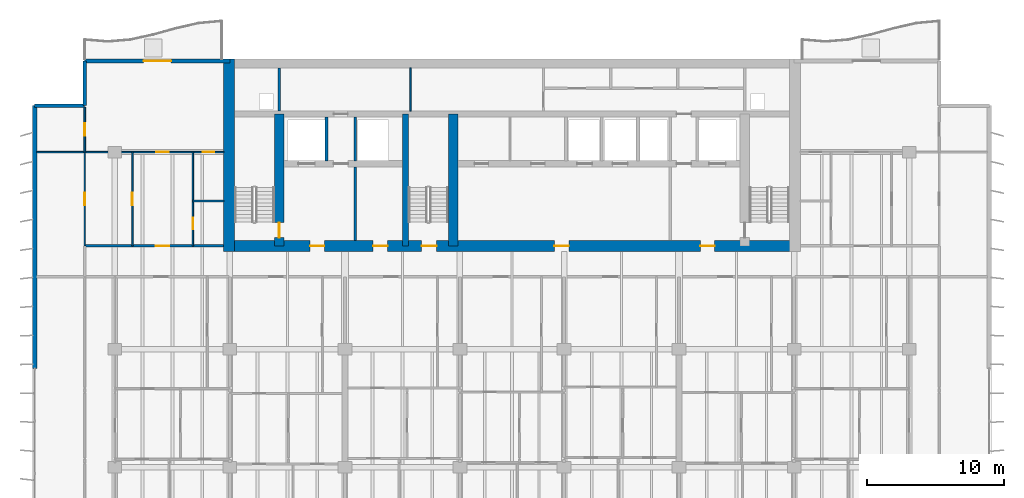
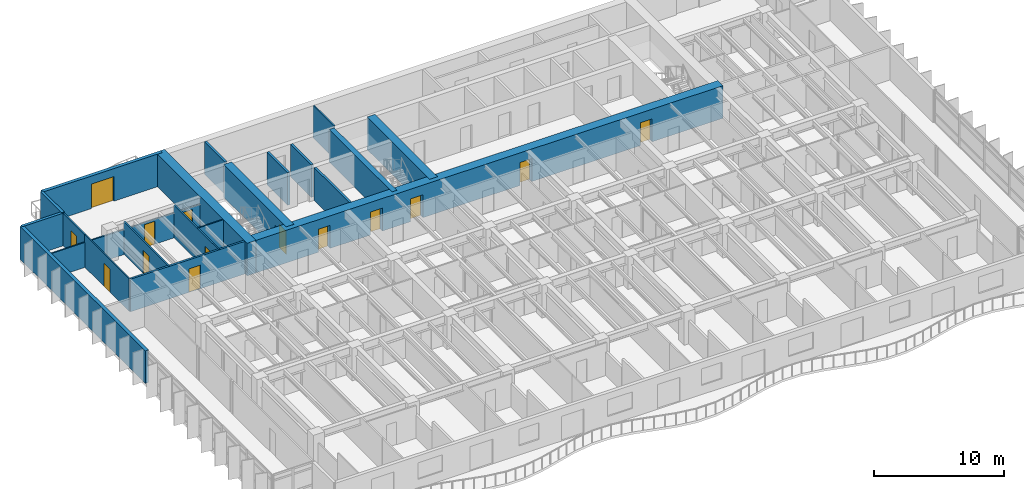
# One storey, part 11 of 18: 21 walls, 14 doors, 14 openings.
"""IFC4 building model written with IfcOpenShell, lengths in metres."""

from ifc_helpers import new_model, si_unit, direction, frame, frame_2d, origin, place, context, subcontext, project, spatial, rectangle, extrude, material, layer, layer_set, type_object, element, fill, save


model = new_model("IFC4")

# Units and contexts
model_context = context("Model", 3, precision=1e-05, world=origin(), true_north=direction((0.0, 1.0)))
body_context = subcontext(model_context, "Body", "Model", "MODEL_VIEW")
ifc_project = project(units=[si_unit("LENGTHUNIT", "METRE"), si_unit("AREAUNIT", "SQUARE_METRE"), si_unit("VOLUMEUNIT", "CUBIC_METRE"), si_unit("PLANEANGLEUNIT", "RADIAN"), si_unit("MASSUNIT", "GRAM", prefix="KILO")], contexts=[model_context])

# Site, building, storey
site_placement = place(None, origin())
site = spatial("IfcSite", under=ifc_project, at=site_placement, CompositionType="ELEMENT")
building_placement = place(site_placement, origin())
building = spatial("IfcBuilding", under=site, at=building_placement, Name="Caelmar Bay Residences", CompositionType="ELEMENT")
storey_placement = place(building_placement, frame((0.0, 0.0, 122.39990234375)))
storey = spatial("IfcBuildingStorey", under=building, at=storey_placement, Name="L33", CompositionType="ELEMENT", Elevation=122.39990234375)

# Wall, opening, door
ifc_material_1 = material(Name="Concrete f'c 55 MPa (8,000 psi)", Category="concrete")
ifc_layer_1 = layer(ifc_material_1, 0.699951171875)
ifc_layer_set_1 = layer_set([ifc_layer_1], Name="Concrete f'c 55 MPa (8,000 psi)")
wall_type_1 = type_object("IfcWallType", Name="SW-COR-700", PredefinedType="SHEAR", material=ifc_layer_set_1)
wall_1_placement = place(storey_placement, frame((21.89990234375, 36.949951171875, 0.0), z_axis=(0.0, 0.0, 1.0), x_axis=(0.0, 1.0, 0.0)))
wall_1 = element("IfcWall", 1, at=wall_1_placement, inside=storey, type_object=wall_type_1, Name="L33 Core Structural Web Wall ST1E", PredefinedType="SHEAR", context=body_context, shape_type="SweptSolid", body=[
    extrude(rectangle(XDim=9.625, YDim=0.699951171875, at=frame_2d((4.8125, 0.0))), origin(), (0.0, 0.0, 1.0), 3.050048828125),
])
opening_1_placement = place(wall_1_placement, frame((0.60009765625, 0.0, 0.0)))
opening_1 = element("IfcOpeningElement", 2, at=opening_1_placement, cuts=wall_1, Name="Opening D-L33-107", PredefinedType="OPENING", context=body_context, shape_type="SweptSolid", body=[
    extrude(rectangle(XDim=1.10009765625, YDim=2.14990234375, at=frame_2d((0.550048828125, 1.074951171875))), frame((0.0, 0.35986328125, 0.0), z_axis=(0.0, -1.0, 0.0), x_axis=(1.0, 0.0, 0.0)), (0.0, 0.0, 1.0), 0.719970703125),
])
ifc_material_2 = material(Name="Fire-rated steel and walnut architectural door assembly", Category="steel")
ifc_layer_2 = layer(ifc_material_2, 0.050048828125)
ifc_layer_set_2 = layer_set([ifc_layer_2], Name="Fire-rated steel and walnut architectural door assembly")
door_type_1 = type_object("IfcDoorType", Name="D-STAIR-1100", OperationType="NOTDEFINED", PredefinedType="DOOR", material=ifc_layer_set_2)
door_1_placement = place(opening_1_placement, origin())
door_1 = element("IfcDoor", 3, at=door_1_placement, inside=storey, type_object=door_type_1, Name="L33 Firefighting Lobby West Door", OperationType="SINGLE_SWING_LEFT", OverallHeight=2.14990234375, OverallWidth=1.10009765625, PredefinedType="DOOR", context=body_context, shape_type="SweptSolid", body=[
    extrude(rectangle(XDim=1.10009765625, YDim=2.14990234375, at=frame_2d((0.550048828125, 1.074951171875))), frame((0.0, 0.02490234375, 0.0), z_axis=(0.0, -1.0, 0.0), x_axis=(1.0, 0.0, 0.0)), (0.0, 0.0, 1.0), 0.050048828125),
])
fill(opening_1, door_1)

# Wall
wall_2_placement = place(storey_placement, frame((34.60009765625, 36.949951171875, 0.0), z_axis=(0.0, 0.0, 1.0), x_axis=(0.0, 1.0, 0.0)))
element("IfcWall", 4, at=wall_2_placement, inside=storey, type_object=wall_type_1, Name="L33 Core Structural Web Wall ST3E", PredefinedType="SHEAR", context=body_context, shape_type="SweptSolid", body=[
    extrude(rectangle(XDim=9.625, YDim=0.699951171875, at=frame_2d((4.8125, 0.0))), origin(), (0.0, 0.0, 1.0), 3.050048828125),
])

# Wall, openings, doors
ifc_material_3 = material(Name="Concrete f'c 70 MPa (10,000 psi)", Category="concrete")
ifc_layer_3 = layer(ifc_material_3, 0.800048828125)
ifc_layer_set_3 = layer_set([ifc_layer_3], Name="Concrete f'c 70 MPa (10,000 psi)")
wall_type_2 = type_object("IfcWallType", Name="SW-COR-800", PredefinedType="SHEAR", material=ifc_layer_set_3)
wall_3_placement = place(storey_placement, frame((17.85009765625, 36.949951171875, 0.0), z_axis=(0.0, 0.0, 1.0), x_axis=(1.0, 0.0, 0.0)))
wall_3 = element("IfcWall", 5, at=wall_3_placement, inside=storey, type_object=wall_type_2, Name="L33 Rear Core South Shear Wall", PredefinedType="SHEAR", context=body_context, shape_type="SweptSolid", body=[
    extrude(rectangle(XDim=42.099853515625, YDim=0.800048828125, at=frame_2d((21.0498046875, 0.0))), origin(), (0.0, 0.0, 1.0), 3.050048828125),
])
opening_2_placement = place(wall_3_placement, frame((14.449951171875, 0.0, 0.0)))
opening_2 = element("IfcOpeningElement", 6, at=opening_2_placement, cuts=wall_3, Name="Opening D-L33-105", PredefinedType="OPENING", context=body_context, shape_type="SweptSolid", body=[
    extrude(rectangle(XDim=1.10009765625, YDim=2.14990234375, at=frame_2d((0.550048828125, 1.074951171875))), frame((0.0, 0.409912109375, 0.0), z_axis=(0.0, -1.0, 0.0), x_axis=(1.0, 0.0, 0.0)), (0.0, 0.0, 1.0), 0.820068359375),
])
opening_3_placement = place(wall_3_placement, frame((6.300048828125, 0.0, 0.0)))
opening_3 = element("IfcOpeningElement", 7, at=opening_3_placement, cuts=wall_3, Name="Opening D-L33-106", PredefinedType="OPENING", context=body_context, shape_type="SweptSolid", body=[
    extrude(rectangle(XDim=1.050048828125, YDim=2.14990234375, at=frame_2d((0.52490234375, 1.074951171875))), frame((0.0, 0.409912109375, 0.0), z_axis=(0.0, -1.0, 0.0), x_axis=(1.0, 0.0, 0.0)), (0.0, 0.0, 1.0), 0.820068359375),
])
opening_4_placement = place(wall_3_placement, frame((34.800048828125, 0.0, 0.0)))
opening_4 = element("IfcOpeningElement", 8, at=opening_4_placement, cuts=wall_3, Name="Opening D-L33-109", PredefinedType="OPENING", context=body_context, shape_type="SweptSolid", body=[
    extrude(rectangle(XDim=1.050048828125, YDim=2.14990234375, at=frame_2d((0.52490234375, 1.074951171875))), frame((0.0, 0.409912109375, 0.0), z_axis=(0.0, -1.0, 0.0), x_axis=(1.0, 0.0, 0.0)), (0.0, 0.0, 1.0), 0.820068359375),
])
opening_5_placement = place(wall_3_placement, frame((10.91259765625, 0.0, 0.0)))
opening_5 = element("IfcOpeningElement", 9, at=opening_5_placement, cuts=wall_3, Name="Opening D-L33-112", PredefinedType="OPENING", context=body_context, shape_type="SweptSolid", body=[
    extrude(rectangle(XDim=1.050048828125, YDim=2.14990234375, at=frame_2d((0.52490234375, 1.074951171875))), frame((0.0, 0.409912109375, 0.0), z_axis=(0.0, -1.0, 0.0), x_axis=(1.0, 0.0, 0.0)), (0.0, 0.0, 1.0), 0.820068359375),
])
opening_6_placement = place(wall_3_placement, frame((24.14990234375, 0.0, 0.0)))
opening_6 = element("IfcOpeningElement", 10, at=opening_6_placement, cuts=wall_3, Name="Opening D-L33-113", PredefinedType="OPENING", context=body_context, shape_type="SweptSolid", body=[
    extrude(rectangle(XDim=1.050048828125, YDim=2.14990234375, at=frame_2d((0.52490234375, 1.074951171875))), frame((0.0, 0.409912109375, 0.0), z_axis=(0.0, -1.0, 0.0), x_axis=(1.0, 0.0, 0.0)), (0.0, 0.0, 1.0), 0.820068359375),
])
ifc_layer_4 = layer(ifc_material_2, 0.050048828125)
ifc_layer_set_4 = layer_set([ifc_layer_4], Name="Fire-rated steel and walnut architectural door assembly")
door_type_2 = type_object("IfcDoorType", Name="D-FSAE-1050", OperationType="NOTDEFINED", PredefinedType="DOOR", material=ifc_layer_set_4)
door_2_placement = place(opening_3_placement, origin())
door_2 = element("IfcDoor", 11, at=door_2_placement, inside=storey, type_object=door_type_2, Name="L33 Firefighting Lobby West Door", OperationType="SINGLE_SWING_RIGHT", OverallHeight=2.14990234375, OverallWidth=1.050048828125, PredefinedType="DOOR", context=body_context, shape_type="SweptSolid", body=[
    extrude(rectangle(XDim=1.050048828125, YDim=2.14990234375, at=frame_2d((0.52490234375, 1.074951171875))), frame((0.0, 0.02490234375, 0.0), z_axis=(0.0, -1.0, 0.0), x_axis=(1.0, 0.0, 0.0)), (0.0, 0.0, 1.0), 0.050048828125),
])
fill(opening_3, door_2)
door_3_placement = place(opening_4_placement, origin())
door_3 = element("IfcDoor", 12, at=door_3_placement, inside=storey, type_object=door_type_2, Name="L33 Firefighting Lobby East Door", OperationType="SINGLE_SWING_LEFT", OverallHeight=2.14990234375, OverallWidth=1.050048828125, PredefinedType="DOOR", context=body_context, shape_type="SweptSolid", body=[
    extrude(rectangle(XDim=1.050048828125, YDim=2.14990234375, at=frame_2d((0.52490234375, 1.074951171875))), frame((0.0, 0.02490234375, 0.0), z_axis=(0.0, -1.0, 0.0), x_axis=(1.0, 0.0, 0.0)), (0.0, 0.0, 1.0), 0.050048828125),
])
fill(opening_4, door_3)
door_4_placement = place(opening_5_placement, origin())
door_4 = element("IfcDoor", 13, at=door_4_placement, inside=storey, type_object=door_type_2, Name="L33 West Lift Lobby Door", OperationType="SINGLE_SWING_RIGHT", OverallHeight=2.14990234375, OverallWidth=1.050048828125, PredefinedType="DOOR", context=body_context, shape_type="SweptSolid", body=[
    extrude(rectangle(XDim=1.050048828125, YDim=2.14990234375, at=frame_2d((0.52490234375, 1.074951171875))), frame((0.0, 0.02490234375, 0.0), z_axis=(0.0, -1.0, 0.0), x_axis=(1.0, 0.0, 0.0)), (0.0, 0.0, 1.0), 0.050048828125),
])
fill(opening_5, door_4)
door_5_placement = place(opening_6_placement, origin())
door_5 = element("IfcDoor", 14, at=door_5_placement, inside=storey, type_object=door_type_2, Name="L33 Passenger Lift Lobby Door", OperationType="SINGLE_SWING_LEFT", OverallHeight=2.14990234375, OverallWidth=1.050048828125, PredefinedType="DOOR", context=body_context, shape_type="SweptSolid", body=[
    extrude(rectangle(XDim=1.050048828125, YDim=2.14990234375, at=frame_2d((0.52490234375, 1.074951171875))), frame((0.0, 0.02490234375, 0.0), z_axis=(0.0, -1.0, 0.0), x_axis=(1.0, 0.0, 0.0)), (0.0, 0.0, 1.0), 0.050048828125),
])
fill(opening_6, door_5)
door_6_placement = place(opening_2_placement, origin())
door_6 = element("IfcDoor", 15, at=door_6_placement, inside=storey, type_object=door_type_1, Name="L33 Exit Stair ST3 Door", OperationType="SINGLE_SWING_LEFT", OverallHeight=2.14990234375, OverallWidth=1.10009765625, PredefinedType="DOOR", context=body_context, shape_type="SweptSolid", body=[
    extrude(rectangle(XDim=1.10009765625, YDim=2.14990234375, at=frame_2d((0.550048828125, 1.074951171875))), frame((0.0, 0.02490234375, 0.0), z_axis=(0.0, -1.0, 0.0), x_axis=(1.0, 0.0, 0.0)), (0.0, 0.0, 1.0), 0.050048828125),
])
fill(opening_2, door_6)

# Walls
wall_4_placement = place(storey_placement, frame((18.25, 36.550048828125, 0.0), z_axis=(0.0, 0.0, 1.0), x_axis=(0.0, 1.0, 0.0)))
element("IfcWall", 16, at=wall_4_placement, inside=storey, type_object=wall_type_2, Name="L33 Rear Core West Shear Wall", PredefinedType="SHEAR", context=body_context, shape_type="SweptSolid", body=[
    extrude(rectangle(XDim=14.050048828125, YDim=0.800048828125, at=frame_2d((7.02490234375, 0.0))), origin(), (0.0, 0.0, 1.0), 3.050048828125),
])
ifc_layer_5 = layer(ifc_material_3, 0.449951171875)
ifc_layer_set_5 = layer_set([ifc_layer_5], Name="Concrete f'c 70 MPa (10,000 psi)")
wall_type_3 = type_object("IfcWallType", Name="SW-WEB-450", PredefinedType="SHEAR", material=ifc_layer_set_5)
wall_5_placement = place(storey_placement, frame((31.125, 36.949951171875, 0.0), z_axis=(0.0, 0.0, 1.0), x_axis=(0.0, 1.0, 0.0)))
element("IfcWall", 17, at=wall_5_placement, inside=storey, type_object=wall_type_3, Name="L33 Core Structural Web Wall ST3W", PredefinedType="SHEAR", context=body_context, shape_type="SweptSolid", body=[
    extrude(rectangle(XDim=9.625, YDim=0.449951171875, at=frame_2d((4.8125, 0.0))), origin(), (0.0, 0.0, 1.0), 3.050048828125),
])

# Wall, opening, door
ifc_material_4 = material(Name="Double-stud acoustic fire-rated gypsum partition 180 mm")
ifc_layer_6 = layer(ifc_material_4, 0.179931640625)
ifc_layer_set_6 = layer_set([ifc_layer_6], Name="Double-stud acoustic fire-rated gypsum partition 180 mm")
wall_type_4 = type_object("IfcWallType", Name="W-COR-200", PredefinedType="PARTITIONING", material=ifc_layer_set_6)
wall_6_placement = place(storey_placement, frame((7.699951171875, 36.949951171875, 0.0), z_axis=(0.0, 0.0, 1.0), x_axis=(1.0, 0.0, 0.0)))
wall_6 = element("IfcWall", 18, at=wall_6_placement, inside=storey, type_object=wall_type_4, Name="L33 Partition Wall H146", PredefinedType="PARTITIONING", context=body_context, shape_type="SweptSolid", body=[
    extrude(rectangle(XDim=10.14501953125, YDim=0.179931640625, at=frame_2d((5.072509765625, 0.0))), origin(), (0.0, 0.0, 1.0), 3.050048828125),
])
opening_7_placement = place(wall_6_placement, frame((5.18798828125, 0.0, 0.0)))
opening_7 = element("IfcOpeningElement", 19, at=opening_7_placement, cuts=wall_6, Name="Opening D-L33-175", PredefinedType="OPENING", context=body_context, shape_type="SweptSolid", body=[
    extrude(rectangle(XDim=1.0, YDim=2.199951171875, at=frame_2d((0.5, 1.10009765625))), frame((0.0, 0.099853515625, 0.0), z_axis=(0.0, -1.0, 0.0), x_axis=(1.0, 0.0, 0.0)), (0.0, 0.0, 1.0), 0.199951171875),
])
ifc_layer_7 = layer(ifc_material_2, 0.050048828125)
ifc_layer_set_7 = layer_set([ifc_layer_7], Name="Fire-rated steel and walnut architectural door assembly")
door_type_3 = type_object("IfcDoorType", Name="D-UNIT-1000", OperationType="NOTDEFINED", PredefinedType="DOOR", material=ifc_layer_set_7)
door_7_placement = place(opening_7_placement, origin())
door_7 = element("IfcDoor", 20, at=door_7_placement, inside=storey, type_object=door_type_3, Name="L33 Residence WA Kitchen Door", OperationType="SINGLE_SWING_LEFT", OverallHeight=2.199951171875, OverallWidth=1.0, PredefinedType="DOOR", context=body_context, shape_type="SweptSolid", body=[
    extrude(rectangle(XDim=1.0, YDim=2.199951171875, at=frame_2d((0.5, 1.10009765625))), frame((0.0, 0.02490234375, 0.0), z_axis=(0.0, -1.0, 0.0), x_axis=(1.0, 0.0, 0.0)), (0.0, 0.0, 1.0), 0.050048828125),
])
fill(opening_7, door_7)

# Walls
ifc_material_5 = material(Name="Precast concrete f'c 40 MPa (6,000 psi)", Category="concrete")
ifc_layer_8 = layer(ifc_material_5, 0.25)
ifc_layer_set_8 = layer_set([ifc_layer_8], Name="Precast concrete f'c 40 MPa (6,000 psi)")
wall_type_5 = type_object("IfcWallType", Name="W-EXT-250", PredefinedType="ELEMENTEDWALL", material=ifc_layer_set_8)
wall_7_placement = place(storey_placement, frame((4.050048828125, 47.199951171875, 0.0), z_axis=(0.0, 0.0, 1.0), x_axis=(1.0, 0.0, 0.0)))
element("IfcWall", 21, at=wall_7_placement, inside=storey, type_object=wall_type_5, Name="L33 NNW-H Notch Wall", PredefinedType="ELEMENTEDWALL", context=body_context, shape_type="SweptSolid", body=[
    extrude(rectangle(XDim=3.64990234375, YDim=0.25, at=frame_2d((1.824951171875, 0.0))), origin(), (0.0, 0.0, 1.0), 3.050048828125),
])
wall_8_placement = place(storey_placement, frame((7.699951171875, 47.199951171875, 0.0), z_axis=(0.0, 0.0, 1.0), x_axis=(0.0, 1.0, 0.0)))
element("IfcWall", 22, at=wall_8_placement, inside=storey, type_object=wall_type_5, Name="L33 NNW-V Notch Wall", PredefinedType="ELEMENTEDWALL", context=body_context, shape_type="SweptSolid", body=[
    extrude(rectangle(XDim=3.25, YDim=0.25, at=frame_2d((1.625, 0.0))), origin(), (0.0, 0.0, 1.0), 3.050048828125),
])
ifc_layer_9 = layer(ifc_material_5, 0.300048828125)
ifc_layer_set_9 = layer_set([ifc_layer_9], Name="Precast concrete f'c 40 MPa (6,000 psi)")
wall_type_6 = type_object("IfcWallType", Name="W-EXT-300", PredefinedType="STANDARD", material=ifc_layer_set_9)
wall_9_placement = place(storey_placement, frame((4.050048828125, 28.0, 0.0), z_axis=(0.0, 0.0, 1.0), x_axis=(0.0, 1.0, 0.0)))
element("IfcWall", 23, at=wall_9_placement, inside=storey, type_object=wall_type_6, Name="L33 West Rear Exterior Wall", PredefinedType="STANDARD", context=body_context, shape_type="SweptSolid", body=[
    extrude(rectangle(XDim=19.199951171875, YDim=0.300048828125, at=frame_2d((9.60009765625, 0.0))), origin(), (0.0, 0.0, 1.0), 3.050048828125),
])

# Wall, opening, door
wall_10_placement = place(storey_placement, frame((7.699951171875, 50.449951171875, 0.0), z_axis=(0.0, 0.0, 1.0), x_axis=(1.0, 0.0, 0.0)))
wall_10 = element("IfcWall", 24, at=wall_10_placement, inside=storey, type_object=wall_type_6, Name="L33 North-West Wing Exterior Wall", PredefinedType="STANDARD", context=body_context, shape_type="SweptSolid", body=[
    extrude(rectangle(XDim=10.60009765625, YDim=0.300048828125, at=frame_2d((5.300048828125, 0.0))), origin(), (0.0, 0.0, 1.0), 3.050048828125),
])
opening_8_placement = place(wall_10_placement, frame((4.300048828125, 0.0, 0.0)))
opening_8 = element("IfcOpeningElement", 25, at=opening_8_placement, cuts=wall_10, Name="Opening L33-BDNW", PredefinedType="OPENING", context=body_context, shape_type="SweptSolid", body=[
    extrude(rectangle(XDim=2.0, YDim=2.300048828125, at=frame_2d((1.0, 1.14990234375))), frame((0.0, 0.159912109375, 0.0), z_axis=(0.0, -1.0, 0.0), x_axis=(1.0, 0.0, 0.0)), (0.0, 0.0, 1.0), 0.320068359375),
])
ifc_material_6 = material(Name="Anodised bronze thermally broken sliding glass door", Category="glass")
ifc_layer_10 = layer(ifc_material_6, 0.050048828125)
ifc_layer_set_10 = layer_set([ifc_layer_10], Name="Anodised bronze thermally broken sliding glass door")
door_type_4 = type_object("IfcDoorType", Name="D-BAL-2000", OperationType="DOUBLE_DOOR_SLIDING", PredefinedType="DOOR", material=ifc_layer_set_10)
door_8_placement = place(opening_8_placement, origin())
door_8 = element("IfcDoor", 26, at=door_8_placement, inside=storey, type_object=door_type_4, Name="L33 North-West Balcony Door", OperationType="DOUBLE_DOOR_SLIDING", OverallHeight=2.300048828125, OverallWidth=2.0, PredefinedType="DOOR", context=body_context, shape_type="SweptSolid", body=[
    extrude(rectangle(XDim=2.0, YDim=2.300048828125, at=frame_2d((1.0, 1.14990234375))), frame((0.0, 0.02490234375, 0.0), z_axis=(0.0, -1.0, 0.0), x_axis=(1.0, 0.0, 0.0)), (0.0, 0.0, 1.0), 0.050048828125),
])
fill(opening_8, door_8)

# Walls
ifc_material_7 = material(Name="Fire-rated masonry and gypsum shaftliner assembly 200 mm", Category="masonry")
ifc_layer_11 = layer(ifc_material_7, 0.199951171875)
ifc_layer_set_11 = layer_set([ifc_layer_11], Name="Fire-rated masonry and gypsum shaftliner assembly 200 mm")
wall_type_7 = type_object("IfcWallType", Name="W-FSAE-200", PredefinedType="PARTITIONING", material=ifc_layer_set_11)
wall_11_placement = place(storey_placement, frame((21.89990234375, 46.794921875, 0.0), z_axis=(0.0, 0.0, 1.0), x_axis=(0.0, 1.0, 0.0)))
element("IfcWall", 27, at=wall_11_placement, inside=storey, type_object=wall_type_7, Name="L33 Partition Wall V029", PredefinedType="PARTITIONING", context=body_context, shape_type="SweptSolid", body=[
    extrude(rectangle(XDim=3.16015625, YDim=0.199951171875, at=frame_2d((1.580078125, 0.0))), origin(), (0.0, 0.0, 1.0), 3.050048828125),
])
wall_12_placement = place(storey_placement, frame((25.35009765625, 43.169921875, 0.0), z_axis=(0.0, 0.0, 1.0), x_axis=(0.0, 1.0, 0.0)))
element("IfcWall", 28, at=wall_12_placement, inside=storey, type_object=wall_type_7, Name="L33 Partition Wall V036", PredefinedType="PARTITIONING", context=body_context, shape_type="SweptSolid", body=[
    extrude(rectangle(XDim=3.18505859375, YDim=0.199951171875, at=frame_2d((1.592529296875, 0.0))), origin(), (0.0, 0.0, 1.0), 3.050048828125),
])
wall_13_placement = place(storey_placement, frame((27.449951171875, 37.344970703125, 0.0), z_axis=(0.0, 0.0, 1.0), x_axis=(0.0, 1.0, 0.0)))
element("IfcWall", 29, at=wall_13_placement, inside=storey, type_object=wall_type_7, Name="L33 Partition Wall V040", PredefinedType="PARTITIONING", context=body_context, shape_type="SweptSolid", body=[
    extrude(rectangle(XDim=5.385009765625, YDim=0.199951171875, at=frame_2d((2.6923828125, 0.0))), origin(), (0.0, 0.0, 1.0), 3.050048828125),
])
wall_14_placement = place(storey_placement, frame((27.449951171875, 43.169921875, 0.0), z_axis=(0.0, 0.0, 1.0), x_axis=(0.0, 1.0, 0.0)))
element("IfcWall", 30, at=wall_14_placement, inside=storey, type_object=wall_type_7, Name="L33 Partition Wall V041", PredefinedType="PARTITIONING", context=body_context, shape_type="SweptSolid", body=[
    extrude(rectangle(XDim=3.18505859375, YDim=0.199951171875, at=frame_2d((1.592529296875, 0.0))), origin(), (0.0, 0.0, 1.0), 3.050048828125),
])

# Wall, opening, door
ifc_material_8 = material(Name="Anodised bronze framed acoustic sliding study partition 100 mm")
ifc_layer_12 = layer(ifc_material_8, 0.10009765625)
ifc_layer_set_12 = layer_set([ifc_layer_12], Name="Anodised bronze framed acoustic sliding study partition 100 mm")
wall_type_8 = type_object("IfcWallType", Name="W-MOV-100", PredefinedType="MOVABLE", material=ifc_layer_set_12)
wall_15_placement = place(storey_placement, frame((7.699951171875, 36.955078125, 0.0), z_axis=(0.0, 0.0, 1.0), x_axis=(0.0, 1.0, 0.0)))
wall_15 = element("IfcWall", 31, at=wall_15_placement, inside=storey, type_object=wall_type_8, Name="L33 Partition Wall V007", PredefinedType="MOVABLE", context=body_context, shape_type="SweptSolid", body=[
    extrude(rectangle(XDim=6.844970703125, YDim=0.10009765625, at=frame_2d((3.42236328125, 0.0))), origin(), (0.0, 0.0, 1.0), 3.050048828125),
])
opening_9_placement = place(wall_15_placement, frame((2.972412109375, 0.0, 0.0)))
opening_9 = element("IfcOpeningElement", 32, at=opening_9_placement, cuts=wall_15, Name="Opening D-L33-179", PredefinedType="OPENING", context=body_context, shape_type="SweptSolid", body=[
    extrude(rectangle(XDim=0.89990234375, YDim=2.14990234375, at=frame_2d((0.449951171875, 1.074951171875))), frame((0.0, 0.06005859375, 0.0), z_axis=(0.0, -1.0, 0.0), x_axis=(1.0, 0.0, 0.0)), (0.0, 0.0, 1.0), 0.1201171875),
])
ifc_material_9 = material(Name="Solid walnut timber interior door leaf and frame", Category="wood")
ifc_layer_13 = layer(ifc_material_9, 0.050048828125)
ifc_layer_set_13 = layer_set([ifc_layer_13], Name="Solid walnut timber interior door leaf and frame")
door_type_5 = type_object("IfcDoorType", Name="D-ROOM-900", OperationType="NOTDEFINED", PredefinedType="DOOR", material=ifc_layer_set_13)
door_9_placement = place(opening_9_placement, origin())
door_9 = element("IfcDoor", 33, at=door_9_placement, inside=storey, type_object=door_type_5, Name="L33 Residence WA Sun Study Door", OperationType="SINGLE_SWING_LEFT", OverallHeight=2.14990234375, OverallWidth=0.89990234375, PredefinedType="DOOR", context=body_context, shape_type="SweptSolid", body=[
    extrude(rectangle(XDim=0.89990234375, YDim=2.14990234375, at=frame_2d((0.449951171875, 1.074951171875))), frame((0.0, 0.02490234375, 0.0), z_axis=(0.0, -1.0, 0.0), x_axis=(1.0, 0.0, 0.0)), (0.0, 0.0, 1.0), 0.050048828125),
])
fill(opening_9, door_9)

ifc_material_10 = material(Name="Acoustic metal-stud gypsum partition 120 mm")
ifc_layer_14 = layer(ifc_material_10, 0.1201171875)
ifc_layer_set_14 = layer_set([ifc_layer_14], Name="Acoustic metal-stud gypsum partition 120 mm")
wall_type_9 = type_object("IfcWallType", Name="W-PRT-120", PredefinedType="PARTITIONING", material=ifc_layer_set_14)
wall_16_placement = place(storey_placement, frame((7.699951171875, 43.804931640625, 0.0), z_axis=(0.0, 0.0, 1.0), x_axis=(0.0, 1.0, 0.0)))
wall_16 = element("IfcWall", 34, at=wall_16_placement, inside=storey, type_object=wall_type_9, Name="L33 Partition Wall V008", PredefinedType="PARTITIONING", context=body_context, shape_type="SweptSolid", body=[
    extrude(rectangle(XDim=3.275146484375, YDim=0.1201171875, at=frame_2d((1.6376953125, 0.0))), origin(), (0.0, 0.0, 1.0), 3.050048828125),
])
opening_10_placement = place(wall_16_placement, frame((1.1875, 0.0, 0.0)))
opening_10 = element("IfcOpeningElement", 35, at=opening_10_placement, cuts=wall_16, Name="Opening D-L33-180", PredefinedType="OPENING", context=body_context, shape_type="SweptSolid", body=[
    extrude(rectangle(XDim=0.89990234375, YDim=2.14990234375, at=frame_2d((0.449951171875, 1.074951171875))), frame((0.0, 0.070068359375, 0.0), z_axis=(0.0, -1.0, 0.0), x_axis=(1.0, 0.0, 0.0)), (0.0, 0.0, 1.0), 0.14013671875),
])
door_10_placement = place(opening_10_placement, origin())
door_10 = element("IfcDoor", 36, at=door_10_placement, inside=storey, type_object=door_type_5, Name="L33 Residence WA North Sitting Alcove Door", OperationType="SINGLE_SWING_RIGHT", OverallHeight=2.14990234375, OverallWidth=0.89990234375, PredefinedType="DOOR", context=body_context, shape_type="SweptSolid", body=[
    extrude(rectangle(XDim=0.89990234375, YDim=2.14990234375, at=frame_2d((0.449951171875, 1.074951171875))), frame((0.0, 0.02490234375, 0.0), z_axis=(0.0, -1.0, 0.0), x_axis=(1.0, 0.0, 0.0)), (0.0, 0.0, 1.0), 0.050048828125),
])
fill(opening_10, door_10)

wall_17_placement = place(storey_placement, frame((11.176025390625, 36.949951171875, 0.0), z_axis=(0.0, 0.0, 1.0), x_axis=(0.0, 1.0, 0.0)))
wall_17 = element("IfcWall", 37, at=wall_17_placement, inside=storey, type_object=wall_type_9, Name="L33 Partition Wall V015", PredefinedType="PARTITIONING", context=body_context, shape_type="SweptSolid", body=[
    extrude(rectangle(XDim=6.85009765625, YDim=0.1201171875, at=frame_2d((3.425048828125, 0.0))), origin(), (0.0, 0.0, 1.0), 3.050048828125),
])
opening_11_placement = place(wall_17_placement, frame((2.97509765625, 0.0, 0.0)))
opening_11 = element("IfcOpeningElement", 38, at=opening_11_placement, cuts=wall_17, Name="Opening D-L33-174", PredefinedType="OPENING", context=body_context, shape_type="SweptSolid", body=[
    extrude(rectangle(XDim=0.89990234375, YDim=2.14990234375, at=frame_2d((0.449951171875, 1.074951171875))), frame((0.0, 0.070068359375, 0.0), z_axis=(0.0, -1.0, 0.0), x_axis=(1.0, 0.0, 0.0)), (0.0, 0.0, 1.0), 0.14013671875),
])
door_11_placement = place(opening_11_placement, origin())
door_11 = element("IfcDoor", 39, at=door_11_placement, inside=storey, type_object=door_type_5, Name="L33 Residence WA Dining Room Door", OperationType="SINGLE_SWING_RIGHT", OverallHeight=2.14990234375, OverallWidth=0.89990234375, PredefinedType="DOOR", context=body_context, shape_type="SweptSolid", body=[
    extrude(rectangle(XDim=0.89990234375, YDim=2.14990234375, at=frame_2d((0.449951171875, 1.074951171875))), frame((0.0, 0.02490234375, 0.0), z_axis=(0.0, -1.0, 0.0), x_axis=(1.0, 0.0, 0.0)), (0.0, 0.0, 1.0), 0.050048828125),
])
fill(opening_11, door_11)

wall_18_placement = place(storey_placement, frame((15.60009765625, 36.949951171875, 0.0), z_axis=(0.0, 0.0, 1.0), x_axis=(0.0, 1.0, 0.0)))
wall_18 = element("IfcWall", 40, at=wall_18_placement, inside=storey, type_object=wall_type_9, Name="L33 Partition Wall V021", PredefinedType="PARTITIONING", context=body_context, shape_type="SweptSolid", body=[
    extrude(rectangle(XDim=6.85009765625, YDim=0.1201171875, at=frame_2d((3.425048828125, 0.0))), origin(), (0.0, 0.0, 1.0), 3.050048828125),
])
opening_12_placement = place(wall_18_placement, frame((1.218994140625, 0.0, 0.0)))
opening_12 = element("IfcOpeningElement", 41, at=opening_12_placement, cuts=wall_18, Name="Opening D-L33-177", PredefinedType="OPENING", context=body_context, shape_type="SweptSolid", body=[
    extrude(rectangle(XDim=0.85009765625, YDim=2.10009765625, at=frame_2d((0.425048828125, 1.050048828125))), frame((0.0, 0.070068359375, 0.0), z_axis=(0.0, -1.0, 0.0), x_axis=(1.0, 0.0, 0.0)), (0.0, 0.0, 1.0), 0.14013671875),
])
ifc_layer_15 = layer(ifc_material_9, 0.050048828125)
ifc_layer_set_15 = layer_set([ifc_layer_15], Name="Solid walnut timber interior door leaf and frame")
door_type_6 = type_object("IfcDoorType", Name="D-BATH-850", OperationType="NOTDEFINED", PredefinedType="DOOR", material=ifc_layer_set_15)
door_12_placement = place(opening_12_placement, origin())
door_12 = element("IfcDoor", 42, at=door_12_placement, inside=storey, type_object=door_type_6, Name="L33 Residence WA Walk-In Closet Door", OperationType="SINGLE_SWING_LEFT", OverallHeight=2.10009765625, OverallWidth=0.85009765625, PredefinedType="DOOR", context=body_context, shape_type="SweptSolid", body=[
    extrude(rectangle(XDim=0.85009765625, YDim=2.10009765625, at=frame_2d((0.425048828125, 1.050048828125))), frame((0.0, 0.02490234375, 0.0), z_axis=(0.0, -1.0, 0.0), x_axis=(1.0, 0.0, 0.0)), (0.0, 0.0, 1.0), 0.050048828125),
])
fill(opening_12, door_12)

# Walls
wall_19_placement = place(storey_placement, frame((31.5, 46.794921875, 0.0), z_axis=(0.0, 0.0, 1.0), x_axis=(0.0, 1.0, 0.0)))
element("IfcWall", 43, at=wall_19_placement, inside=storey, type_object=wall_type_9, Name="L33 Partition Wall V047", PredefinedType="PARTITIONING", context=body_context, shape_type="SweptSolid", body=[
    extrude(rectangle(XDim=3.16015625, YDim=0.1201171875, at=frame_2d((1.580078125, 0.0))), origin(), (0.0, 0.0, 1.0), 3.050048828125),
])
wall_20_placement = place(storey_placement, frame((15.60009765625, 40.238037109375, 0.0), z_axis=(0.0, 0.0, 1.0), x_axis=(1.0, 0.0, 0.0)))
element("IfcWall", 44, at=wall_20_placement, inside=storey, type_object=wall_type_9, Name="L33 Partition Wall H148", PredefinedType="PARTITIONING", context=body_context, shape_type="SweptSolid", body=[
    extrude(rectangle(XDim=2.2548828125, YDim=0.1201171875, at=frame_2d((1.12744140625, 0.0))), origin(), (0.0, 0.0, 1.0), 3.050048828125),
])

# Wall, openings, doors
wall_21_placement = place(storey_placement, frame((4.195068359375, 43.800048828125, 0.0), z_axis=(0.0, 0.0, 1.0), x_axis=(1.0, 0.0, 0.0)))
wall_21 = element("IfcWall", 45, at=wall_21_placement, inside=storey, type_object=wall_type_9, Name="L33 Partition Wall H150", PredefinedType="PARTITIONING", context=body_context, shape_type="SweptSolid", body=[
    extrude(rectangle(XDim=13.659912109375, YDim=0.1201171875, at=frame_2d((6.830078125, 0.0))), origin(), (0.0, 0.0, 1.0), 2.339111328125),
])
opening_13_placement = place(wall_21_placement, frame((8.742919921875, 0.0, 0.0)))
opening_13 = element("IfcOpeningElement", 46, at=opening_13_placement, cuts=wall_21, Name="Opening D-L33-176", PredefinedType="OPENING", context=body_context, shape_type="SweptSolid", body=[
    extrude(rectangle(XDim=0.89990234375, YDim=2.14990234375, at=frame_2d((0.449951171875, 1.074951171875))), frame((0.0, 0.070068359375, 0.0), z_axis=(0.0, -1.0, 0.0), x_axis=(1.0, 0.0, 0.0)), (0.0, 0.0, 1.0), 0.14013671875),
])
opening_14_placement = place(wall_21_placement, frame((12.107421875, 0.0, 0.0)))
opening_14 = element("IfcOpeningElement", 47, at=opening_14_placement, cuts=wall_21, Name="Opening D-L33-178", PredefinedType="OPENING", context=body_context, shape_type="SweptSolid", body=[
    extrude(rectangle(XDim=0.85009765625, YDim=2.10009765625, at=frame_2d((0.425048828125, 1.050048828125))), frame((0.0, 0.070068359375, 0.0), z_axis=(0.0, -1.0, 0.0), x_axis=(1.0, 0.0, 0.0)), (0.0, 0.0, 1.0), 0.14013671875),
])
door_13_placement = place(opening_14_placement, origin())
door_13 = element("IfcDoor", 48, at=door_13_placement, inside=storey, type_object=door_type_6, Name="L33 Residence WA Bathroom Door", OperationType="SINGLE_SWING_RIGHT", OverallHeight=2.10009765625, OverallWidth=0.85009765625, PredefinedType="DOOR", context=body_context, shape_type="SweptSolid", body=[
    extrude(rectangle(XDim=0.85009765625, YDim=2.10009765625, at=frame_2d((0.425048828125, 1.050048828125))), frame((0.0, 0.02490234375, 0.0), z_axis=(0.0, -1.0, 0.0), x_axis=(1.0, 0.0, 0.0)), (0.0, 0.0, 1.0), 0.050048828125),
])
fill(opening_14, door_13)
door_14_placement = place(opening_13_placement, origin())
door_14 = element("IfcDoor", 49, at=door_14_placement, inside=storey, type_object=door_type_5, Name="L33 Residence WA Studio Living and Sleeping Room Door", OperationType="SINGLE_SWING_RIGHT", OverallHeight=2.14990234375, OverallWidth=0.89990234375, PredefinedType="DOOR", context=body_context, shape_type="SweptSolid", body=[
    extrude(rectangle(XDim=0.89990234375, YDim=2.14990234375, at=frame_2d((0.449951171875, 1.074951171875))), frame((0.0, 0.02490234375, 0.0), z_axis=(0.0, -1.0, 0.0), x_axis=(1.0, 0.0, 0.0)), (0.0, 0.0, 1.0), 0.050048828125),
])
fill(opening_13, door_14)

save(model, "model.ifc")
